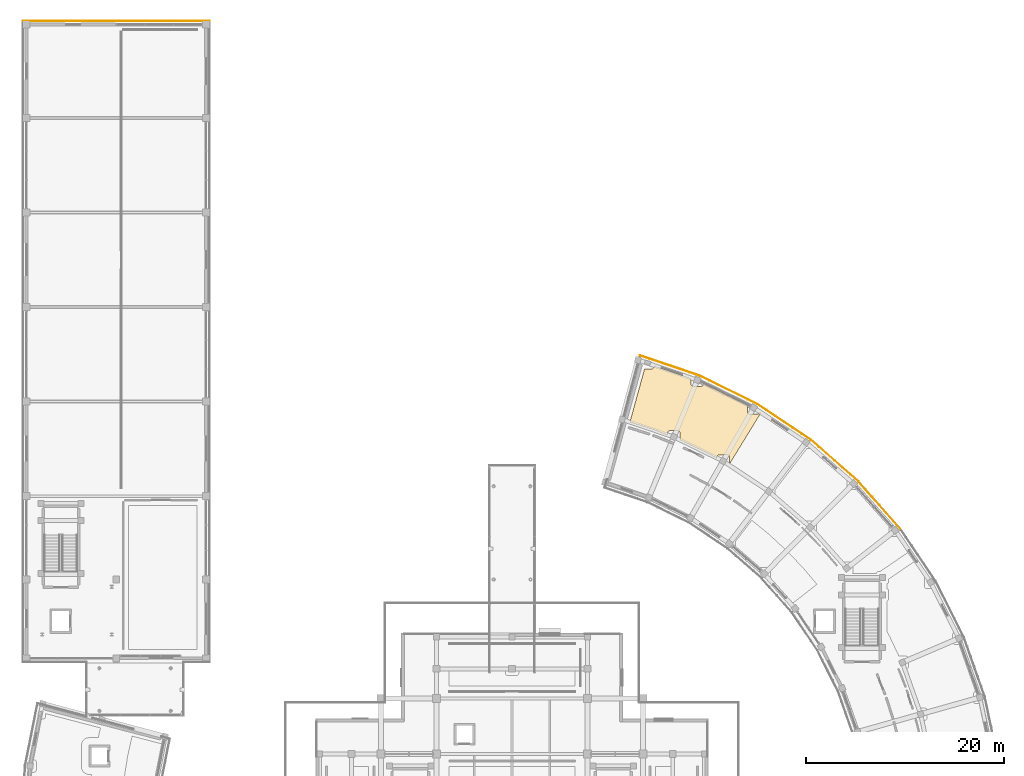
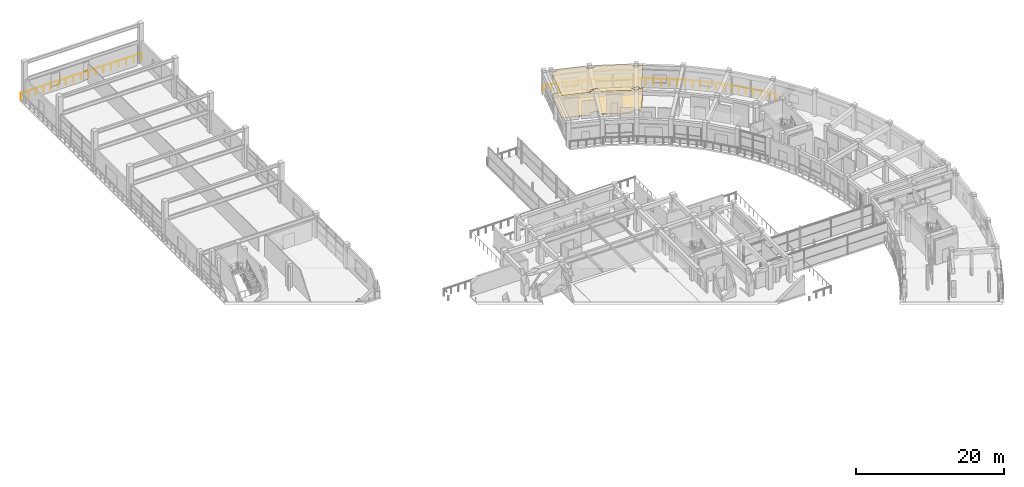
# One storey, part 72 of 72: 6 railings, 2 coverings.
"""IFC4 building model written with IfcOpenShell, lengths in metres."""

from ifc_helpers import new_model, si_unit, direction, frame, origin, origin_2d, place, context, subcontext, project, spatial, polyline, rectangle, outline, extrude, material, layer, layer_set, type_object, element, save


model = new_model("IFC4")

# Units and contexts
model_context = context("Model", 3, precision=1e-05, world=origin(), true_north=direction((0.0, 1.0)))
body_context = subcontext(model_context, "Body", "Model", "MODEL_VIEW")
ifc_project = project(units=[si_unit("LENGTHUNIT", "METRE"), si_unit("AREAUNIT", "SQUARE_METRE"), si_unit("VOLUMEUNIT", "CUBIC_METRE"), si_unit("PLANEANGLEUNIT", "RADIAN"), si_unit("MASSUNIT", "GRAM", prefix="KILO")], contexts=[model_context])

# Site, building, storey
site_placement = place(None, origin())
site = spatial("IfcSite", under=ifc_project, at=site_placement, CompositionType="ELEMENT")
building_placement = place(site_placement, origin())
building = spatial("IfcBuilding", under=site, at=building_placement, Name="Saryqyr Civic Hall", CompositionType="ELEMENT")
storey_placement = place(building_placement, frame((0.0, 0.0, 17.25)))
storey = spatial("IfcBuildingStorey", under=building, at=storey_placement, Name="L04", CompositionType="ELEMENT", Elevation=17.25)

# Coverings
ifc_material_1 = material(Name="Mineral-fibre acoustic ceiling tile", Category="acoustic_tile")
ifc_layer_1 = layer(ifc_material_1, 0.06005859375, Name="Mineral-fibre acoustic ceiling tile")
ifc_layer_set_1 = layer_set([ifc_layer_1], Name="Mineral-fibre acoustic ceiling tile")
covering_type_1 = type_object("IfcCoveringType", Name="INT-COV-CEIL-60", PredefinedType="CEILING", material=ifc_layer_set_1)
covering_1_placement = place(storey_placement, frame((0.0, 0.0, 3.72998046875)))
element("IfcCovering", 1, at=covering_1_placement, inside=storey, type_object=covering_type_1, Name="Acoustic ceiling Executive Restroom & Accessible MGN WC L04-N", PredefinedType="CEILING", context=body_context, shape_type="SweptSolid", body=[
    extrude(outline(polyline([(78.90576171875, 121.541015625), (78.902099609375, 121.5654296875), (78.896240234375, 121.589111328125), (78.887939453125, 121.6123046875), (78.87744140625, 121.634521484375), (78.864990234375, 121.655517578125), (78.850341796875, 121.67529296875), (78.833740234375, 121.693359375), (78.815673828125, 121.7099609375), (78.7958984375, 121.724609375), (78.77490234375, 121.737060546875), (78.752685546875, 121.74755859375), (78.7294921875, 121.755859375), (78.705810546875, 121.76171875), (78.681396484375, 121.765380859375), (78.656982421875, 121.7666015625), (77.89697265625, 121.7666015625), (77.87255859375, 121.765380859375), (77.84814453125, 121.76171875), (77.824462890625, 121.755859375), (77.80126953125, 121.74755859375), (77.779296875, 121.737060546875), (77.758056640625, 121.724609375), (77.73828125, 121.7099609375), (77.72021484375, 121.693359375), (77.70361328125, 121.67529296875), (77.689208984375, 121.655517578125), (77.676513671875, 121.634521484375), (77.666015625, 121.6123046875), (77.65771484375, 121.589111328125), (77.65185546875, 121.5654296875), (77.648193359375, 121.541015625), (77.64697265625, 121.5166015625), (77.64697265625, 121.406494140625), (76.74755859375, 121.915283203125), (76.71337890625, 121.93310546875), (74.034912109375, 123.208984375), (73.99951171875, 123.224365234375), (73.943359375, 123.246337890625), (73.943359375, 123.94921875), (73.942138671875, 123.9736328125), (73.9384765625, 123.997802734375), (73.9326171875, 124.021728515625), (73.92431640625, 124.044921875), (73.913818359375, 124.06689453125), (73.901123046875, 124.087890625), (73.88671875, 124.107666015625), (73.8701171875, 124.1259765625), (73.851806640625, 124.142333984375), (73.832275390625, 124.156982421875), (73.81103515625, 124.169677734375), (73.7890625, 124.18017578125), (73.765869140625, 124.188232421875), (73.7421875, 124.1943359375), (73.7177734375, 124.197998046875), (73.693359375, 124.19921875), (72.933349609375, 124.19921875), (72.90869140625, 124.197998046875), (72.884521484375, 124.1943359375), (72.860595703125, 124.188232421875), (72.837646484375, 124.18017578125), (72.8154296875, 124.169677734375), (72.79443359375, 124.156982421875), (72.774658203125, 124.142333984375), (72.756591796875, 124.1259765625), (72.739990234375, 124.107666015625), (72.725341796875, 124.087890625), (72.712890625, 124.06689453125), (72.702392578125, 124.044921875), (72.694091796875, 124.021728515625), (72.68798828125, 123.997802734375), (72.6845703125, 123.9736328125), (72.683349609375, 123.94921875), (72.683349609375, 123.7412109375), (71.23828125, 124.308837890625), (71.201904296875, 124.32177734375), (68.877685546875, 125.05078125), (70.35791015625, 130.42431640625), (71.050537109375, 130.42431640625), (71.0751953125, 130.425537109375), (71.099365234375, 130.42919921875), (71.123291015625, 130.435302734375), (71.146240234375, 130.443359375), (71.16845703125, 130.453857421875), (71.189453125, 130.466552734375), (71.209228515625, 130.481201171875), (71.227294921875, 130.49755859375), (71.243896484375, 130.515869140625), (71.258544921875, 130.535400390625), (71.27099609375, 130.556640625), (71.281494140625, 130.57861328125), (71.289794921875, 130.601806640625), (71.2958984375, 130.62548828125), (71.29931640625, 130.64990234375), (71.300537109375, 130.67431640625), (71.300537109375, 130.734130859375), (74.513671875, 129.6572265625), (75.04638671875, 129.447998046875), (75.04638671875, 128.921142578125), (75.047607421875, 128.896484375), (75.05126953125, 128.872314453125), (75.05712890625, 128.848388671875), (75.0654296875, 128.825439453125), (75.075927734375, 128.80322265625), (75.08837890625, 128.7822265625), (75.10302734375, 128.762451171875), (75.11962890625, 128.744384765625), (75.1376953125, 128.727783203125), (75.157470703125, 128.713134765625), (75.1787109375, 128.70068359375), (75.20068359375, 128.690185546875), (75.223876953125, 128.681884765625), (75.24755859375, 128.67578125), (75.27197265625, 128.67236328125), (75.29638671875, 128.671142578125), (76.056396484375, 128.671142578125), (76.080810546875, 128.67236328125), (76.105224609375, 128.67578125), (76.12890625, 128.681884765625), (76.152099609375, 128.690185546875), (76.17431640625, 128.70068359375), (76.1953125, 128.713134765625), (76.215087890625, 128.727783203125), (76.233154296875, 128.744384765625), (76.249755859375, 128.762451171875), (76.264404296875, 128.7822265625), (76.27685546875, 128.80322265625), (76.287353515625, 128.825439453125), (76.295654296875, 128.848388671875), (76.301513671875, 128.872314453125), (76.30517578125, 128.896484375), (76.306396484375, 128.921142578125), (76.306396484375, 128.953125), (76.390869140625, 128.919921875), (80.4189453125, 126.93359375), (80.72900390625, 126.758056640625), (80.72900390625, 126.13623046875), (80.730224609375, 126.11181640625), (80.73388671875, 126.08740234375), (80.739990234375, 126.063720703125), (80.748046875, 126.04052734375), (80.758544921875, 126.0185546875), (80.771240234375, 125.997314453125), (80.785888671875, 125.977783203125), (80.80224609375, 125.95947265625), (80.820556640625, 125.943115234375), (80.840087890625, 125.928466796875), (80.861328125, 125.915771484375), (80.88330078125, 125.9052734375), (80.906494140625, 125.897216796875), (80.930419921875, 125.89111328125), (80.95458984375, 125.887451171875), (80.97900390625, 125.88623046875), (81.739013671875, 125.88623046875), (81.763671875, 125.887451171875), (81.787841796875, 125.89111328125), (81.811767578125, 125.897216796875), (81.834716796875, 125.9052734375), (81.85693359375, 125.915771484375), (81.8779296875, 125.928466796875), (81.897705078125, 125.943115234375), (81.916015625, 125.95947265625), (81.932373046875, 125.977783203125), (81.947021484375, 125.997314453125), (81.959716796875, 126.0185546875), (81.97021484375, 126.04052734375), (81.974609375, 126.05322265625), (82.080322265625, 125.99365234375), (78.906982421875, 120.818359375), (78.906982421875, 121.5166015625), (78.90576171875, 121.541015625)])), origin(), (0.0, 0.0, 1.0), 0.06005859375),
])
ifc_material_2 = material(Name="Polished terrazzo tile", Category="stone")
ifc_layer_2 = layer(ifc_material_2, 0.030029296875, Name="Polished terrazzo tile")
ifc_layer_set_2 = layer_set([ifc_layer_2], Name="Polished terrazzo tile")
covering_type_2 = type_object("IfcCoveringType", Name="INT-COV-FLR-30", PredefinedType="FLOORING", material=ifc_layer_set_2)
covering_2_placement = place(storey_placement, origin())
element("IfcCovering", 2, at=covering_2_placement, inside=storey, type_object=covering_type_2, Name="Polished terrazzo flooring Executive Restroom & Accessible MGN WC L04-N", PredefinedType="FLOORING", context=body_context, shape_type="SweptSolid", body=[
    extrude(outline(polyline([(78.90576171875, 121.541015625), (78.902099609375, 121.5654296875), (78.896240234375, 121.589111328125), (78.887939453125, 121.6123046875), (78.87744140625, 121.634521484375), (78.864990234375, 121.655517578125), (78.850341796875, 121.67529296875), (78.833740234375, 121.693359375), (78.815673828125, 121.7099609375), (78.7958984375, 121.724609375), (78.77490234375, 121.737060546875), (78.752685546875, 121.74755859375), (78.7294921875, 121.755859375), (78.705810546875, 121.76171875), (78.681396484375, 121.765380859375), (78.656982421875, 121.7666015625), (77.89697265625, 121.7666015625), (77.87255859375, 121.765380859375), (77.84814453125, 121.76171875), (77.824462890625, 121.755859375), (77.80126953125, 121.74755859375), (77.779296875, 121.737060546875), (77.758056640625, 121.724609375), (77.73828125, 121.7099609375), (77.72021484375, 121.693359375), (77.70361328125, 121.67529296875), (77.689208984375, 121.655517578125), (77.676513671875, 121.634521484375), (77.666015625, 121.6123046875), (77.65771484375, 121.589111328125), (77.65185546875, 121.5654296875), (77.648193359375, 121.541015625), (77.64697265625, 121.5166015625), (77.64697265625, 121.406494140625), (76.74755859375, 121.915283203125), (76.71337890625, 121.93310546875), (74.034912109375, 123.208984375), (73.99951171875, 123.224365234375), (73.943359375, 123.246337890625), (73.943359375, 123.94921875), (73.942138671875, 123.9736328125), (73.9384765625, 123.997802734375), (73.9326171875, 124.021728515625), (73.92431640625, 124.044921875), (73.913818359375, 124.06689453125), (73.901123046875, 124.087890625), (73.88671875, 124.107666015625), (73.8701171875, 124.1259765625), (73.851806640625, 124.142333984375), (73.832275390625, 124.156982421875), (73.81103515625, 124.169677734375), (73.7890625, 124.18017578125), (73.765869140625, 124.188232421875), (73.7421875, 124.1943359375), (73.7177734375, 124.197998046875), (73.693359375, 124.19921875), (72.933349609375, 124.19921875), (72.90869140625, 124.197998046875), (72.884521484375, 124.1943359375), (72.860595703125, 124.188232421875), (72.837646484375, 124.18017578125), (72.8154296875, 124.169677734375), (72.79443359375, 124.156982421875), (72.774658203125, 124.142333984375), (72.756591796875, 124.1259765625), (72.739990234375, 124.107666015625), (72.725341796875, 124.087890625), (72.712890625, 124.06689453125), (72.702392578125, 124.044921875), (72.694091796875, 124.021728515625), (72.68798828125, 123.997802734375), (72.6845703125, 123.9736328125), (72.683349609375, 123.94921875), (72.683349609375, 123.7412109375), (71.23828125, 124.308837890625), (71.201904296875, 124.32177734375), (68.877685546875, 125.05078125), (70.35791015625, 130.42431640625), (71.050537109375, 130.42431640625), (71.0751953125, 130.425537109375), (71.099365234375, 130.42919921875), (71.123291015625, 130.435302734375), (71.146240234375, 130.443359375), (71.16845703125, 130.453857421875), (71.189453125, 130.466552734375), (71.209228515625, 130.481201171875), (71.227294921875, 130.49755859375), (71.243896484375, 130.515869140625), (71.258544921875, 130.535400390625), (71.27099609375, 130.556640625), (71.281494140625, 130.57861328125), (71.289794921875, 130.601806640625), (71.2958984375, 130.62548828125), (71.29931640625, 130.64990234375), (71.300537109375, 130.67431640625), (71.300537109375, 130.734130859375), (74.513671875, 129.6572265625), (75.04638671875, 129.447998046875), (75.04638671875, 128.921142578125), (75.047607421875, 128.896484375), (75.05126953125, 128.872314453125), (75.05712890625, 128.848388671875), (75.0654296875, 128.825439453125), (75.075927734375, 128.80322265625), (75.08837890625, 128.7822265625), (75.10302734375, 128.762451171875), (75.11962890625, 128.744384765625), (75.1376953125, 128.727783203125), (75.157470703125, 128.713134765625), (75.1787109375, 128.70068359375), (75.20068359375, 128.690185546875), (75.223876953125, 128.681884765625), (75.24755859375, 128.67578125), (75.27197265625, 128.67236328125), (75.29638671875, 128.671142578125), (76.056396484375, 128.671142578125), (76.080810546875, 128.67236328125), (76.105224609375, 128.67578125), (76.12890625, 128.681884765625), (76.152099609375, 128.690185546875), (76.17431640625, 128.70068359375), (76.1953125, 128.713134765625), (76.215087890625, 128.727783203125), (76.233154296875, 128.744384765625), (76.249755859375, 128.762451171875), (76.264404296875, 128.7822265625), (76.27685546875, 128.80322265625), (76.287353515625, 128.825439453125), (76.295654296875, 128.848388671875), (76.301513671875, 128.872314453125), (76.30517578125, 128.896484375), (76.306396484375, 128.921142578125), (76.306396484375, 128.953125), (76.390869140625, 128.919921875), (80.4189453125, 126.93359375), (80.72900390625, 126.758056640625), (80.72900390625, 126.13623046875), (80.730224609375, 126.11181640625), (80.73388671875, 126.08740234375), (80.739990234375, 126.063720703125), (80.748046875, 126.04052734375), (80.758544921875, 126.0185546875), (80.771240234375, 125.997314453125), (80.785888671875, 125.977783203125), (80.80224609375, 125.95947265625), (80.820556640625, 125.943115234375), (80.840087890625, 125.928466796875), (80.861328125, 125.915771484375), (80.88330078125, 125.9052734375), (80.906494140625, 125.897216796875), (80.930419921875, 125.89111328125), (80.95458984375, 125.887451171875), (80.97900390625, 125.88623046875), (81.739013671875, 125.88623046875), (81.763671875, 125.887451171875), (81.787841796875, 125.89111328125), (81.811767578125, 125.897216796875), (81.834716796875, 125.9052734375), (81.85693359375, 125.915771484375), (81.8779296875, 125.928466796875), (81.897705078125, 125.943115234375), (81.916015625, 125.95947265625), (81.932373046875, 125.977783203125), (81.947021484375, 125.997314453125), (81.959716796875, 126.0185546875), (81.97021484375, 126.04052734375), (81.974609375, 126.05322265625), (82.080322265625, 125.99365234375), (78.906982421875, 120.818359375), (78.906982421875, 121.5166015625), (78.90576171875, 121.541015625)])), origin(), (0.0, 0.0, 1.0), 0.030029296875),
])

# Railings
ifc_material_3 = material(Name="Warm brushed brass and laminated glass", Category="glass")
ifc_layer_3 = layer(ifc_material_3, 0.06005859375, Name="Warm brushed brass and laminated glass")
ifc_layer_set_3 = layer_set([ifc_layer_3], Name="Warm brushed brass and laminated glass")
railing_type = type_object("IfcRailingType", Name="INT-RLG-BAL-1100", PredefinedType="BALUSTRADE", material=ifc_layer_set_3)
railing_1_placement = place(storey_placement, frame((7.699951171875, 165.5, 0.0)))
element("IfcRailing", 3, at=railing_1_placement, inside=storey, type_object=railing_type, Name="Interior deck safety balustrade L04-017", PredefinedType="BALUSTRADE", context=body_context, shape_type="SweptSolid", body=[
    extrude(rectangle(XDim=0.048095703125, YDim=0.048095703125, at=origin_2d()), frame((0.0, 0.0, 1.09619140625), z_axis=(1.0, 0.0, 0.0), x_axis=(0.0, 1.0, 0.0)), (0.0, 0.0, 1.0), 18.800048828125),
    extrude(rectangle(XDim=0.0419921875, YDim=0.0419921875, at=origin_2d()), origin(), (0.0, 0.0, 1.0), 1.072021484375),
    extrude(rectangle(XDim=0.0419921875, YDim=0.0419921875, at=origin_2d()), frame((1.175048828125, 0.0, 0.0)), (0.0, 0.0, 1.0), 1.072021484375),
    extrude(rectangle(XDim=0.0419921875, YDim=0.0419921875, at=origin_2d()), frame((2.35009765625, 0.0, 0.0)), (0.0, 0.0, 1.0), 1.072021484375),
    extrude(rectangle(XDim=0.0419921875, YDim=0.0419921875, at=origin_2d()), frame((3.52490234375, 0.0, 0.0)), (0.0, 0.0, 1.0), 1.072021484375),
    extrude(rectangle(XDim=0.0419921875, YDim=0.0419921875, at=origin_2d()), frame((4.699951171875, 0.0, 0.0)), (0.0, 0.0, 1.0), 1.072021484375),
    extrude(rectangle(XDim=0.0419921875, YDim=0.0419921875, at=origin_2d()), frame((5.875, 0.0, 0.0)), (0.0, 0.0, 1.0), 1.072021484375),
    extrude(rectangle(XDim=0.0419921875, YDim=0.0419921875, at=origin_2d()), frame((7.050048828125, 0.0, 0.0)), (0.0, 0.0, 1.0), 1.072021484375),
    extrude(rectangle(XDim=0.0419921875, YDim=0.0419921875, at=origin_2d()), frame((8.22509765625, 0.0, 0.0)), (0.0, 0.0, 1.0), 1.072021484375),
    extrude(rectangle(XDim=0.0419921875, YDim=0.0419921875, at=origin_2d()), frame((9.39990234375, 0.0, 0.0)), (0.0, 0.0, 1.0), 1.072021484375),
    extrude(rectangle(XDim=0.0419921875, YDim=0.0419921875, at=origin_2d()), frame((10.574951171875, 0.0, 0.0)), (0.0, 0.0, 1.0), 1.072021484375),
    extrude(rectangle(XDim=0.0419921875, YDim=0.0419921875, at=origin_2d()), frame((11.75, 0.0, 0.0)), (0.0, 0.0, 1.0), 1.072021484375),
    extrude(rectangle(XDim=0.0419921875, YDim=0.0419921875, at=origin_2d()), frame((12.925048828125, 0.0, 0.0)), (0.0, 0.0, 1.0), 1.072021484375),
    extrude(rectangle(XDim=0.0419921875, YDim=0.0419921875, at=origin_2d()), frame((14.10009765625, 0.0, 0.0)), (0.0, 0.0, 1.0), 1.072021484375),
    extrude(rectangle(XDim=0.0419921875, YDim=0.0419921875, at=origin_2d()), frame((15.275146484375, 0.0, 0.0)), (0.0, 0.0, 1.0), 1.072021484375),
    extrude(rectangle(XDim=0.0419921875, YDim=0.0419921875, at=origin_2d()), frame((16.449951171875, 0.0, 0.0)), (0.0, 0.0, 1.0), 1.072021484375),
    extrude(rectangle(XDim=0.0419921875, YDim=0.0419921875, at=origin_2d()), frame((17.625, 0.0, 0.0)), (0.0, 0.0, 1.0), 1.072021484375),
    extrude(rectangle(XDim=0.0419921875, YDim=0.0419921875, at=origin_2d()), frame((18.800048828125, 0.0, 0.0)), (0.0, 0.0, 1.0), 1.072021484375),
])
railing_2_placement = place(storey_placement, frame((69.906494140625, 131.781005859375, 0.0)))
element("IfcRailing", 4, at=railing_2_placement, inside=storey, type_object=railing_type, Name="Interior deck safety balustrade L04-047", PredefinedType="BALUSTRADE", context=body_context, shape_type="SweptSolid", body=[
    extrude(rectangle(XDim=0.048095703125, YDim=0.048095703125, at=origin_2d()), frame((0.0, 0.0, 1.09619140625), z_axis=(0.946914589927, -0.321485239761, 0.0), x_axis=(0.321485239761, 0.946914589927, 0.0)), (0.0, 0.0, 1.0), 6.37451171875),
    extrude(rectangle(XDim=0.0419921875, YDim=0.0419921875, at=origin_2d()), origin(), (0.0, 0.0, 1.0), 1.072021484375),
    extrude(rectangle(XDim=0.0419921875, YDim=0.0419921875, at=origin_2d()), frame((1.006103515625, -0.341552734375, 0.0)), (0.0, 0.0, 1.0), 1.072021484375),
    extrude(rectangle(XDim=0.0419921875, YDim=0.0419921875, at=origin_2d()), frame((2.011962890625, -0.68310546875, 0.0)), (0.0, 0.0, 1.0), 1.072021484375),
    extrude(rectangle(XDim=0.0419921875, YDim=0.0419921875, at=origin_2d()), frame((3.01806640625, -1.024658203125, 0.0)), (0.0, 0.0, 1.0), 1.072021484375),
    extrude(rectangle(XDim=0.0419921875, YDim=0.0419921875, at=origin_2d()), frame((4.024169921875, -1.3662109375, 0.0)), (0.0, 0.0, 1.0), 1.072021484375),
    extrude(rectangle(XDim=0.0419921875, YDim=0.0419921875, at=origin_2d()), frame((5.030029296875, -1.707763671875, 0.0)), (0.0, 0.0, 1.0), 1.072021484375),
    extrude(rectangle(XDim=0.0419921875, YDim=0.0419921875, at=origin_2d()), frame((6.0361328125, -2.04931640625, 0.0)), (0.0, 0.0, 1.0), 1.072021484375),
])
railing_3_placement = place(storey_placement, frame((75.942626953125, 129.731689453125, 0.0)))
element("IfcRailing", 5, at=railing_3_placement, inside=storey, type_object=railing_type, Name="Interior deck safety balustrade L04-048", PredefinedType="BALUSTRADE", context=body_context, shape_type="SweptSolid", body=[
    extrude(rectangle(XDim=0.048095703125, YDim=0.048095703125, at=origin_2d()), frame((0.0, 0.0, 1.09619140625), z_axis=(0.89689443152, -0.442244704557, 0.0), x_axis=(0.442244704557, 0.89689443152, 0.0)), (0.0, 0.0, 1.0), 6.47509765625),
    extrude(rectangle(XDim=0.0419921875, YDim=0.0419921875, at=origin_2d()), origin(), (0.0, 0.0, 1.0), 1.072021484375),
    extrude(rectangle(XDim=0.0419921875, YDim=0.0419921875, at=origin_2d()), frame((0.9677734375, -0.477294921875, 0.0)), (0.0, 0.0, 1.0), 1.072021484375),
    extrude(rectangle(XDim=0.0419921875, YDim=0.0419921875, at=origin_2d()), frame((1.935791015625, -0.95458984375, 0.0)), (0.0, 0.0, 1.0), 1.072021484375),
    extrude(rectangle(XDim=0.0419921875, YDim=0.0419921875, at=origin_2d()), frame((2.90380859375, -1.431640625, 0.0)), (0.0, 0.0, 1.0), 1.072021484375),
    extrude(rectangle(XDim=0.0419921875, YDim=0.0419921875, at=origin_2d()), frame((3.87158203125, -1.908935546875, 0.0)), (0.0, 0.0, 1.0), 1.072021484375),
    extrude(rectangle(XDim=0.0419921875, YDim=0.0419921875, at=origin_2d()), frame((4.83935546875, -2.38623046875, 0.0)), (0.0, 0.0, 1.0), 1.072021484375),
    extrude(rectangle(XDim=0.0419921875, YDim=0.0419921875, at=origin_2d()), frame((5.807373046875, -2.863525390625, 0.0)), (0.0, 0.0, 1.0), 1.072021484375),
])
railing_4_placement = place(storey_placement, frame((81.75, 126.8681640625, 0.0)))
element("IfcRailing", 6, at=railing_4_placement, inside=storey, type_object=railing_type, Name="Interior deck safety balustrade L04-049", PredefinedType="BALUSTRADE", context=body_context, shape_type="SweptSolid", body=[
    extrude(rectangle(XDim=0.048095703125, YDim=0.048095703125, at=origin_2d()), frame((0.0, 0.0, 1.09619140625), z_axis=(0.831452318502, -0.55559611415, 0.0), x_axis=(0.55559611415, 0.831452318502, 0.0)), (0.0, 0.0, 1.0), 6.474853515625),
    extrude(rectangle(XDim=0.0419921875, YDim=0.0419921875, at=origin_2d()), origin(), (0.0, 0.0, 1.0), 1.072021484375),
    extrude(rectangle(XDim=0.0419921875, YDim=0.0419921875, at=origin_2d()), frame((0.897216796875, -0.599609375, 0.0)), (0.0, 0.0, 1.0), 1.072021484375),
    extrude(rectangle(XDim=0.0419921875, YDim=0.0419921875, at=origin_2d()), frame((1.79443359375, -1.19921875, 0.0)), (0.0, 0.0, 1.0), 1.072021484375),
    extrude(rectangle(XDim=0.0419921875, YDim=0.0419921875, at=origin_2d()), frame((2.69189453125, -1.798828125, 0.0)), (0.0, 0.0, 1.0), 1.072021484375),
    extrude(rectangle(XDim=0.0419921875, YDim=0.0419921875, at=origin_2d()), frame((3.589111328125, -2.398193359375, 0.0)), (0.0, 0.0, 1.0), 1.072021484375),
    extrude(rectangle(XDim=0.0419921875, YDim=0.0419921875, at=origin_2d()), frame((4.486328125, -2.997802734375, 0.0)), (0.0, 0.0, 1.0), 1.072021484375),
    extrude(rectangle(XDim=0.0419921875, YDim=0.0419921875, at=origin_2d()), frame((5.383544921875, -3.597412109375, 0.0)), (0.0, 0.0, 1.0), 1.072021484375),
])
railing_5_placement = place(storey_placement, frame((87.133544921875, 123.270751953125, 0.0)))
element("IfcRailing", 7, at=railing_5_placement, inside=storey, type_object=railing_type, Name="Interior deck safety balustrade L04-050", PredefinedType="BALUSTRADE", context=body_context, shape_type="SweptSolid", body=[
    extrude(rectangle(XDim=0.048095703125, YDim=0.048095703125, at=origin_2d()), frame((0.0, 0.0, 1.09619140625), z_axis=(0.752633781672, -0.658439359915, 0.0), x_axis=(0.658439359915, 0.752633781672, 0.0)), (0.0, 0.0, 1.0), 6.35791015625),
    extrude(rectangle(XDim=0.0419921875, YDim=0.0419921875, at=origin_2d()), origin(), (0.0, 0.0, 1.0), 1.072021484375),
    extrude(rectangle(XDim=0.0419921875, YDim=0.0419921875, at=origin_2d()), frame((0.797607421875, -0.69775390625, 0.0)), (0.0, 0.0, 1.0), 1.072021484375),
    extrude(rectangle(XDim=0.0419921875, YDim=0.0419921875, at=origin_2d()), frame((1.594970703125, -1.3955078125, 0.0)), (0.0, 0.0, 1.0), 1.072021484375),
    extrude(rectangle(XDim=0.0419921875, YDim=0.0419921875, at=origin_2d()), frame((2.392578125, -2.09326171875, 0.0)), (0.0, 0.0, 1.0), 1.072021484375),
    extrude(rectangle(XDim=0.0419921875, YDim=0.0419921875, at=origin_2d()), frame((3.190185546875, -2.790771484375, 0.0)), (0.0, 0.0, 1.0), 1.072021484375),
    extrude(rectangle(XDim=0.0419921875, YDim=0.0419921875, at=origin_2d()), frame((3.987548828125, -3.488525390625, 0.0)), (0.0, 0.0, 1.0), 1.072021484375),
    extrude(rectangle(XDim=0.0419921875, YDim=0.0419921875, at=origin_2d()), frame((4.78515625, -4.186279296875, 0.0)), (0.0, 0.0, 1.0), 1.072021484375),
])
railing_6_placement = place(storey_placement, frame((91.918701171875, 119.08447265625, 0.0)))
element("IfcRailing", 8, at=railing_6_placement, inside=storey, type_object=railing_type, Name="Interior deck safety balustrade L04-051", PredefinedType="BALUSTRADE", context=body_context, shape_type="SweptSolid", body=[
    extrude(rectangle(XDim=0.048095703125, YDim=0.048095703125, at=origin_2d()), frame((0.0, 0.0, 1.09619140625), z_axis=(0.661996204778, -0.749507187997, 0.0), x_axis=(0.749507187997, 0.661996204778, 0.0)), (0.0, 0.0, 1.0), 6.35791015625),
    extrude(rectangle(XDim=0.0419921875, YDim=0.0419921875, at=origin_2d()), origin(), (0.0, 0.0, 1.0), 1.072021484375),
    extrude(rectangle(XDim=0.0419921875, YDim=0.0419921875, at=origin_2d()), frame((0.701416015625, -0.794189453125, 0.0)), (0.0, 0.0, 1.0), 1.072021484375),
    extrude(rectangle(XDim=0.0419921875, YDim=0.0419921875, at=origin_2d()), frame((1.403076171875, -1.58837890625, 0.0)), (0.0, 0.0, 1.0), 1.072021484375),
    extrude(rectangle(XDim=0.0419921875, YDim=0.0419921875, at=origin_2d()), frame((2.1044921875, -2.3828125, 0.0)), (0.0, 0.0, 1.0), 1.072021484375),
    extrude(rectangle(XDim=0.0419921875, YDim=0.0419921875, at=origin_2d()), frame((2.805908203125, -3.177001953125, 0.0)), (0.0, 0.0, 1.0), 1.072021484375),
    extrude(rectangle(XDim=0.0419921875, YDim=0.0419921875, at=origin_2d()), frame((3.507568359375, -3.97119140625, 0.0)), (0.0, 0.0, 1.0), 1.072021484375),
    extrude(rectangle(XDim=0.0419921875, YDim=0.0419921875, at=origin_2d()), frame((4.208984375, -4.765380859375, 0.0)), (0.0, 0.0, 1.0), 1.072021484375),
])

save(model, "model.ifc")
